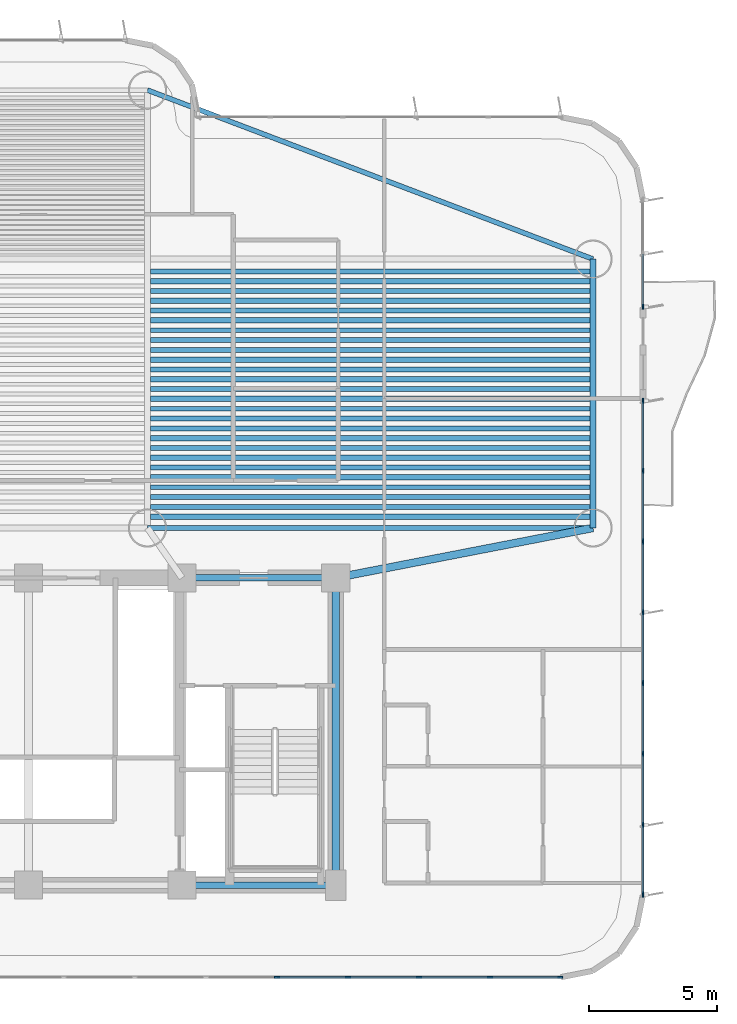
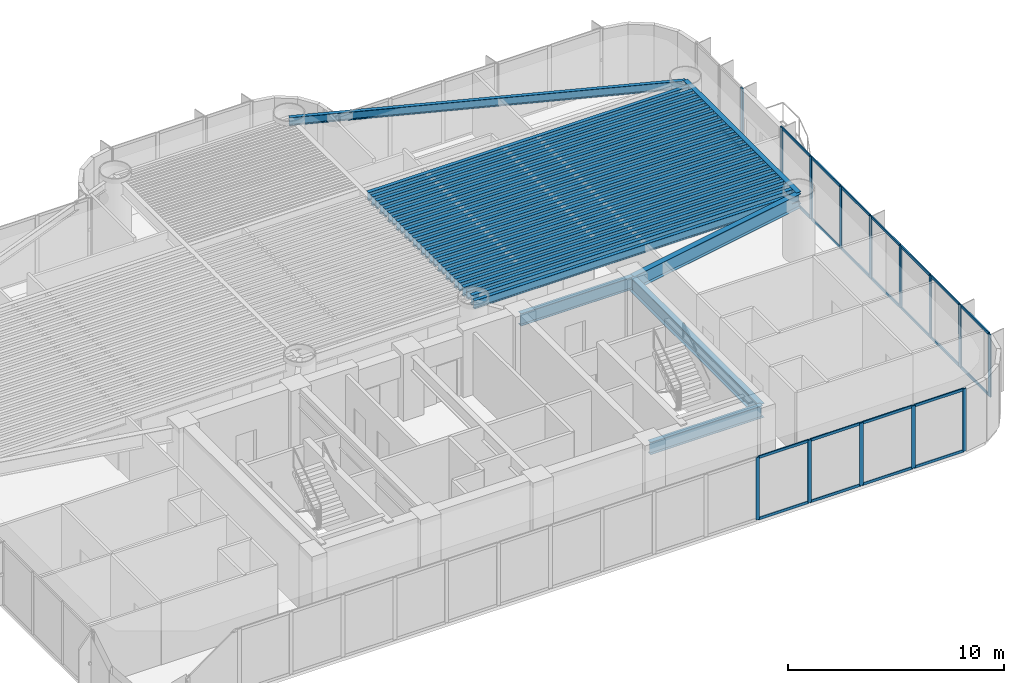
# One storey, part 5 of 17: 37 members, 33 beams, 3 elements without a shape of their own.
"""IFC4 building model written with IfcOpenShell, lengths in metres."""

from ifc_helpers import new_model, si_unit, direction, frame, origin, origin_2d, place, context, subcontext, project, spatial, rectangle, i_section, extrude, source, transform, mapped, material, layer, layer_set, material_profile, profile_set, type_object, element, aggregate, save


model = new_model("IFC4")

# Units and contexts
model_context = context("Model", 3, precision=1e-05, world=origin(), true_north=direction((0.0, 1.0)))
body_context = subcontext(model_context, "Body", "Model", "MODEL_VIEW")
ifc_project = project(units=[si_unit("LENGTHUNIT", "METRE"), si_unit("AREAUNIT", "SQUARE_METRE"), si_unit("VOLUMEUNIT", "CUBIC_METRE"), si_unit("PLANEANGLEUNIT", "RADIAN"), si_unit("MASSUNIT", "GRAM", prefix="KILO")], contexts=[model_context])

# Site, building, storey
site_placement = place(None, origin())
site = spatial("IfcSite", under=ifc_project, at=site_placement, CompositionType="ELEMENT")
building_placement = place(site_placement, origin())
building = spatial("IfcBuilding", under=site, at=building_placement, Name="Brelvock Crest Care Tower", CompositionType="ELEMENT")
storey_placement = place(building_placement, frame((0.0, 0.0, 49.679931640625)))
storey = spatial("IfcBuildingStorey", under=building, at=storey_placement, Name="L12", CompositionType="ELEMENT", Elevation=49.679931640625)

# Beams
ifc_material_1 = material(Name="Steel Grade 350", Category="steel")
ifc_material_profile_1 = material_profile(ifc_material_1, i_section(OverallWidth=0.25, OverallDepth=0.699951171875, WebThickness=0.011962890625, FlangeThickness=0.02001953125, at=origin_2d()), Name="700WB150")
ifc_profile_set_1 = profile_set([ifc_material_profile_1], Name="Steel Grade 350")
beam_type_1 = type_object("IfcBeamType", Name="BM-G4", PredefinedType="BEAM", material=ifc_profile_set_1)
shared_shape_1 = source(origin(), body_context, "Body", "SweptSolid", [
    extrude(i_section(OverallWidth=0.25, OverallDepth=0.699951171875, WebThickness=0.011962890625, FlangeThickness=0.02001953125, at=origin_2d()), origin(), (0.0, 0.0, 1.0), 6.0),
])
for number, where, z_axis, x_axis, name in (
    (1, (42.0, 6.0, 3.18017578125), (1.0, 0.0, 0.0), (0.0, 1.0, 0.0), "BM-CORES-L12-4"),
    (2, (42.0, 18.0, 3.18017578125), (1.0, 0.0, 0.0), (0.0, 1.0, 0.0), "BM-COREN-L12-4"),
):
    element("IfcBeam", number, at=place(storey_placement, frame(where, z_axis=z_axis, x_axis=x_axis)), inside=storey, type_object=beam_type_1, Name=name, PredefinedType="BEAM", context=body_context, shape_type="MappedRepresentation", body=[
        mapped(shared_shape_1, transform((0.0, 0.0, 0.0), x_axis=(1.0, 0.0, 0.0), y_axis=(0.0, 1.0, 0.0), z_axis=(0.0, 0.0, 1.0), scale=1.0)),
    ])
ifc_material_profile_2 = material_profile(ifc_material_1, i_section(OverallWidth=0.300048828125, OverallDepth=0.800048828125, WebThickness=0.013916015625, FlangeThickness=0.02197265625, at=origin_2d()), Name="800WB192")
ifc_profile_set_2 = profile_set([ifc_material_profile_2], Name="Steel Grade 350")
beam_type_2 = type_object("IfcBeamType", Name="BM-G5", PredefinedType="BEAM", material=ifc_profile_set_2)
shared_shape_2 = source(origin(), body_context, "Body", "SweptSolid", [
    extrude(i_section(OverallWidth=0.300048828125, OverallDepth=0.800048828125, WebThickness=0.013916015625, FlangeThickness=0.02197265625, at=origin_2d()), origin(), (0.0, 0.0, 1.0), 12.0),
])
beam_1_placement = place(storey_placement, frame((48.0, 6.0, 3.130126953125), z_axis=(0.0, 1.0, 0.0), x_axis=(-1.0, 0.0, 0.0)))
element("IfcBeam", 3, at=beam_1_placement, inside=storey, type_object=beam_type_2, Name="BM-COREX-L12-5", PredefinedType="BEAM", context=body_context, shape_type="MappedRepresentation", body=[
    mapped(shared_shape_2, transform((0.0, 0.0, 0.0), x_axis=(1.0, 0.0, 0.0), y_axis=(0.0, 1.0, 0.0), z_axis=(0.0, 0.0, 1.0), scale=1.0)),
])
shared_shape_3 = source(origin(), body_context, "Body", "SweptSolid", [
    extrude(i_section(OverallWidth=0.25, OverallDepth=0.699951171875, WebThickness=0.011962890625, FlangeThickness=0.02001953125, at=origin_2d()), origin(), (0.0, 0.0, 1.0), 10.5),
])
beam_2_placement = place(storey_placement, frame((58.050048828125, 19.949951171875, 3.18017578125), z_axis=(0.0, 1.0, 0.0), x_axis=(-1.0, 0.0, 0.0)))
element("IfcBeam", 4, at=beam_2_placement, inside=storey, type_object=beam_type_1, Name="BM-TWR-L12-02", PredefinedType="BEAM", context=body_context, shape_type="MappedRepresentation", body=[
    mapped(shared_shape_3, transform((0.0, 0.0, 0.0), x_axis=(1.0, 0.0, 0.0), y_axis=(0.0, 1.0, 0.0), z_axis=(0.0, 0.0, 1.0), scale=1.0)),
])
ifc_material_profile_3 = material_profile(ifc_material_1, i_section(OverallWidth=0.19091796875, OverallDepth=0.4599609375, WebThickness=0.010009765625, FlangeThickness=0.01611328125, FilletRadius=0.011474609375, at=origin_2d()), Name="460UB82.1")
ifc_profile_set_3 = profile_set([ifc_material_profile_3], Name="Steel Grade 350")
beam_type_3 = type_object("IfcBeamType", Name="BM-SP2", PredefinedType="SPANDREL", material=ifc_profile_set_3)
shared_shape_4 = source(origin(), body_context, "Body", "SweptSolid", [
    extrude(i_section(OverallWidth=0.19091796875, OverallDepth=0.4599609375, WebThickness=0.010009765625, FlangeThickness=0.01611328125, FilletRadius=0.011474609375, at=origin_2d()), origin(), (0.0, 0.0, 1.0), 17.400146484375),
])
beam_3_placement = place(storey_placement, frame((40.64990234375, 19.949951171875, 3.300048828125), z_axis=(1.0, 0.0, 0.0), x_axis=(0.0, 1.0, 0.0)))
element("IfcBeam", 5, at=beam_3_placement, inside=storey, type_object=beam_type_3, Name="BM-TWR-L12-04", PredefinedType="SPANDREL", context=body_context, shape_type="MappedRepresentation", body=[
    mapped(shared_shape_4, transform((0.0, 0.0, 0.0), x_axis=(1.0, 0.0, 0.0), y_axis=(0.0, 1.0, 0.0), z_axis=(0.0, 0.0, 1.0), scale=1.0)),
])
shared_shape_5 = source(origin(), body_context, "Body", "SweptSolid", [
    extrude(i_section(OverallWidth=0.19091796875, OverallDepth=0.4599609375, WebThickness=0.010009765625, FlangeThickness=0.01611328125, FilletRadius=0.011474609375, at=origin_2d()), origin(), (0.0, 0.0, 1.0), 18.60986328125),
])
beam_4_placement = place(storey_placement, frame((40.64990234375, 37.050048828125, 3.300048828125), z_axis=(0.934996776275, -0.3546562115, 0.0), x_axis=(0.3546562115, 0.934996776275, 0.0)))
element("IfcBeam", 6, at=beam_4_placement, inside=storey, type_object=beam_type_3, Name="BM-TWR-L12-07", PredefinedType="SPANDREL", context=body_context, shape_type="MappedRepresentation", body=[
    mapped(shared_shape_5, transform((0.0, 0.0, 0.0), x_axis=(1.0, 0.0, 0.0), y_axis=(0.0, 1.0, 0.0), z_axis=(0.0, 0.0, 1.0), scale=1.0)),
])
shared_shape_6 = source(origin(), body_context, "Body", "SweptSolid", [
    extrude(i_section(OverallWidth=0.300048828125, OverallDepth=0.800048828125, WebThickness=0.013916015625, FlangeThickness=0.02197265625, at=origin_2d()), origin(), (0.0, 0.0, 1.0), 10.237548828125),
])
beam_5_placement = place(storey_placement, frame((48.0, 18.0, 3.130126953125), z_axis=(0.981692632568, 0.190471979991, 0.0), x_axis=(-0.190471979991, 0.981692632568, 0.0)))
element("IfcBeam", 7, at=beam_5_placement, inside=storey, type_object=beam_type_2, Name="BM-THRO-E-L12", PredefinedType="BEAM", context=body_context, shape_type="MappedRepresentation", body=[
    mapped(shared_shape_6, transform((0.0, 0.0, 0.0), x_axis=(1.0, 0.0, 0.0), y_axis=(0.0, 1.0, 0.0), z_axis=(0.0, 0.0, 1.0), scale=1.0)),
])
ifc_material_profile_4 = material_profile(ifc_material_1, i_section(OverallWidth=0.208984375, OverallDepth=0.532958984375, WebThickness=0.01025390625, FlangeThickness=0.015625, FilletRadius=0.013916015625, at=origin_2d()), Name="530UB92.4")
ifc_profile_set_4 = profile_set([ifc_material_profile_4], Name="Steel Grade 350")
beam_type_4 = type_object("IfcBeamType", Name="BM-G2", PredefinedType="BEAM", material=ifc_profile_set_4)
shared_shape_7 = source(origin(), body_context, "Body", "SweptSolid", [
    extrude(i_section(OverallWidth=0.208984375, OverallDepth=0.532958984375, WebThickness=0.01025390625, FlangeThickness=0.015625, FilletRadius=0.013916015625, at=origin_2d()), origin(), (0.0, 0.0, 1.0), 17.170166015625),
])
for number, where, z_axis, x_axis, name in (
    (8, (40.764892578125, 20.39111328125, 3.263671875), (1.0, 0.0, 0.0), (0.0, 1.0, 0.0), "BM-JE-L12-1"),
    (9, (40.764892578125, 21.157470703125, 3.263671875), (1.0, 0.0, 0.0), (0.0, 1.0, 0.0), "BM-JE-L12-3"),
    (10, (40.764892578125, 21.924072265625, 3.263671875), (1.0, 0.0, 0.0), (0.0, 1.0, 0.0), "BM-JE-L12-5"),
    (11, (40.764892578125, 22.6904296875, 3.263671875), (1.0, 0.0, 0.0), (0.0, 1.0, 0.0), "BM-JE-L12-7"),
    (12, (40.764892578125, 23.45703125, 3.263671875), (1.0, 0.0, 0.0), (0.0, 1.0, 0.0), "BM-JE-L12-9"),
    (13, (40.764892578125, 24.223388671875, 3.263671875), (1.0, 0.0, 0.0), (0.0, 1.0, 0.0), "BM-JE-L12-11"),
    (14, (40.764892578125, 24.989990234375, 3.263671875), (1.0, 0.0, 0.0), (0.0, 1.0, 0.0), "BM-JE-L12-13"),
    (15, (40.764892578125, 25.756591796875, 3.263671875), (1.0, 0.0, 0.0), (0.0, 1.0, 0.0), "BM-JE-L12-15"),
    (16, (40.764892578125, 26.52294921875, 3.263671875), (1.0, 0.0, 0.0), (0.0, 1.0, 0.0), "BM-JE-L12-17"),
    (17, (40.764892578125, 27.28955078125, 3.263671875), (1.0, 0.0, 0.0), (0.0, 1.0, 0.0), "BM-JE-L12-19"),
    (18, (40.764892578125, 28.055908203125, 3.263671875), (1.0, 0.0, 0.0), (0.0, 1.0, 0.0), "BM-JE-L12-21"),
    (19, (40.764892578125, 28.822509765625, 3.263671875), (1.0, 0.0, 0.0), (0.0, 1.0, 0.0), "BM-JE-L12-23"),
    (20, (40.764892578125, 29.589111328125, 3.263671875), (1.0, 0.0, 0.0), (0.0, 1.0, 0.0), "BM-JE-L12-25"),
):
    element("IfcBeam", number, at=place(storey_placement, frame(where, z_axis=z_axis, x_axis=x_axis)), inside=storey, type_object=beam_type_4, Name=name, PredefinedType="BEAM", context=body_context, shape_type="MappedRepresentation", body=[
        mapped(shared_shape_7, transform((0.0, 0.0, 0.0), x_axis=(1.0, 0.0, 0.0), y_axis=(0.0, 1.0, 0.0), z_axis=(0.0, 0.0, 1.0), scale=1.0)),
    ])
ifc_material_profile_5 = material_profile(ifc_material_1, i_section(OverallWidth=0.19091796875, OverallDepth=0.4599609375, WebThickness=0.010009765625, FlangeThickness=0.01611328125, FilletRadius=0.011474609375, at=origin_2d()), Name="460UB82.1")
ifc_profile_set_5 = profile_set([ifc_material_profile_5], Name="Steel Grade 350")
beam_type_5 = type_object("IfcBeamType", Name="BM-G3", PredefinedType="BEAM", material=ifc_profile_set_5)
shared_shape_8 = source(origin(), body_context, "Body", "SweptSolid", [
    extrude(i_section(OverallWidth=0.19091796875, OverallDepth=0.4599609375, WebThickness=0.010009765625, FlangeThickness=0.01611328125, FilletRadius=0.011474609375, at=origin_2d()), origin(), (0.0, 0.0, 1.0), 17.170166015625),
])
for number, where, z_axis, x_axis, name in (
    (21, (40.764892578125, 20.774169921875, 3.300048828125), (1.0, 0.0, 0.0), (0.0, 1.0, 0.0), "BM-JE-L12-2"),
    (22, (40.764892578125, 21.540771484375, 3.300048828125), (1.0, 0.0, 0.0), (0.0, 1.0, 0.0), "BM-JE-L12-4"),
    (23, (40.764892578125, 22.30712890625, 3.300048828125), (1.0, 0.0, 0.0), (0.0, 1.0, 0.0), "BM-JE-L12-6"),
    (24, (40.764892578125, 23.07373046875, 3.300048828125), (1.0, 0.0, 0.0), (0.0, 1.0, 0.0), "BM-JE-L12-8"),
    (25, (40.764892578125, 23.840087890625, 3.300048828125), (1.0, 0.0, 0.0), (0.0, 1.0, 0.0), "BM-JE-L12-10"),
    (26, (40.764892578125, 24.606689453125, 3.300048828125), (1.0, 0.0, 0.0), (0.0, 1.0, 0.0), "BM-JE-L12-12"),
    (27, (40.764892578125, 25.373291015625, 3.300048828125), (1.0, 0.0, 0.0), (0.0, 1.0, 0.0), "BM-JE-L12-14"),
    (28, (40.764892578125, 26.1396484375, 3.300048828125), (1.0, 0.0, 0.0), (0.0, 1.0, 0.0), "BM-JE-L12-16"),
    (29, (40.764892578125, 26.90625, 3.300048828125), (1.0, 0.0, 0.0), (0.0, 1.0, 0.0), "BM-JE-L12-18"),
    (30, (40.764892578125, 27.6728515625, 3.300048828125), (1.0, 0.0, 0.0), (0.0, 1.0, 0.0), "BM-JE-L12-20"),
    (31, (40.764892578125, 28.439208984375, 3.300048828125), (1.0, 0.0, 0.0), (0.0, 1.0, 0.0), "BM-JE-L12-22"),
    (32, (40.764892578125, 29.205810546875, 3.300048828125), (1.0, 0.0, 0.0), (0.0, 1.0, 0.0), "BM-JE-L12-24"),
    (33, (40.764892578125, 29.97216796875, 3.300048828125), (1.0, 0.0, 0.0), (0.0, 1.0, 0.0), "BM-JE-L12-26"),
):
    element("IfcBeam", number, at=place(storey_placement, frame(where, z_axis=z_axis, x_axis=x_axis)), inside=storey, type_object=beam_type_5, Name=name, PredefinedType="BEAM", context=body_context, shape_type="MappedRepresentation", body=[
        mapped(shared_shape_8, transform((0.0, 0.0, 0.0), x_axis=(1.0, 0.0, 0.0), y_axis=(0.0, 1.0, 0.0), z_axis=(0.0, 0.0, 1.0), scale=1.0)),
    ])

# Curtain wall, member
ifc_material_2 = material(Name="Dark Glass Double Glazed Low-E", Category="glass")
ifc_layer = layer(ifc_material_2, 0.195068359375, Name="CWS-2")
ifc_layer_set = layer_set([ifc_layer], Name="Dark Glass Double Glazed Low-E")
curtain_wall_type = type_object("IfcCurtainWallType", Name="CWS-2", PredefinedType="NOTDEFINED", material=ifc_layer_set)
curtain_wall_1_placement = place(storey_placement, origin())
curtain_wall_1 = element("IfcCurtainWall", 34, at=curtain_wall_1_placement, inside=storey, type_object=curtain_wall_type, Name="L12 Curtain Wall E03A", PredefinedType="NOTDEFINED")
ifc_material_3 = material(Name="Aluminium 6063-T6", Category="aluminium")
ifc_material_profile_6 = material_profile(ifc_material_3, rectangle(XDim=0.06494140625, YDim=0.199951171875, at=origin_2d()), Name="ALU65x200")
ifc_profile_set_6 = profile_set([ifc_material_profile_6], Name="Aluminium 6063-T6")
member_type_1 = type_object("IfcMemberType", Name="CWM-1", PredefinedType="MULLION", material=ifc_profile_set_6)
shared_shape_9 = source(origin(), body_context, "Body", "SweptSolid", [
    extrude(rectangle(XDim=0.06494140625, YDim=0.199951171875, at=origin_2d()), origin(), (0.0, 0.0, 1.0), 3.530029296875),
])
member_1_placement = place(storey_placement, frame((60.0, 28.58251953125, 0.0), z_axis=(0.0, 0.0, 1.0), x_axis=(1.0, 0.0, 0.0)))
member_1 = element("IfcMember", 35, at=member_1_placement, type_object=member_type_1, Name="CW-2 mullion 3", PredefinedType="MULLION", context=body_context, shape_type="MappedRepresentation", body=[
    mapped(shared_shape_9, transform((0.0, 0.0, 0.0), x_axis=(1.0, 0.0, 0.0), y_axis=(0.0, 1.0, 0.0), z_axis=(0.0, 0.0, 1.0), scale=1.0)),
])

# Curtain wall, members
curtain_wall_2_placement = place(storey_placement, origin())
curtain_wall_2 = element("IfcCurtainWall", 36, at=curtain_wall_2_placement, inside=storey, type_object=curtain_wall_type, Name="L12 Curtain Wall E03B", PredefinedType="NOTDEFINED")
member_2_placement = place(storey_placement, frame((60.0, 24.91748046875, 0.0), z_axis=(0.0, 0.0, 1.0), x_axis=(1.0, 0.0, 0.0)))
member_2 = element("IfcMember", 37, at=member_2_placement, type_object=member_type_1, Name="CW-2 mullion 1", PredefinedType="MULLION", context=body_context, shape_type="MappedRepresentation", body=[
    mapped(shared_shape_9, transform((0.0, 0.0, 0.0), x_axis=(1.0, 0.0, 0.0), y_axis=(0.0, 1.0, 0.0), z_axis=(0.0, 0.0, 1.0), scale=1.0)),
])
member_3_placement = place(storey_placement, frame((60.0, 22.185791015625, 0.0), z_axis=(0.0, 0.0, 1.0), x_axis=(1.0, 0.0, 0.0)))
member_3 = element("IfcMember", 38, at=member_3_placement, type_object=member_type_1, Name="CW-2 mullion 2", PredefinedType="MULLION", context=body_context, shape_type="MappedRepresentation", body=[
    mapped(shared_shape_9, transform((0.0, 0.0, 0.0), x_axis=(1.0, 0.0, 0.0), y_axis=(0.0, 1.0, 0.0), z_axis=(0.0, 0.0, 1.0), scale=1.0)),
])
member_4_placement = place(storey_placement, frame((60.0, 19.42138671875, 0.0), z_axis=(0.0, 0.0, 1.0), x_axis=(1.0, 0.0, 0.0)))
member_4 = element("IfcMember", 39, at=member_4_placement, type_object=member_type_1, Name="CW-2 mullion 3", PredefinedType="MULLION", context=body_context, shape_type="MappedRepresentation", body=[
    mapped(shared_shape_9, transform((0.0, 0.0, 0.0), x_axis=(1.0, 0.0, 0.0), y_axis=(0.0, 1.0, 0.0), z_axis=(0.0, 0.0, 1.0), scale=1.0)),
])
member_5_placement = place(storey_placement, frame((60.0, 16.6572265625, 0.0), z_axis=(0.0, 0.0, 1.0), x_axis=(1.0, 0.0, 0.0)))
member_5 = element("IfcMember", 40, at=member_5_placement, type_object=member_type_1, Name="CW-2 mullion 4", PredefinedType="MULLION", context=body_context, shape_type="MappedRepresentation", body=[
    mapped(shared_shape_9, transform((0.0, 0.0, 0.0), x_axis=(1.0, 0.0, 0.0), y_axis=(0.0, 1.0, 0.0), z_axis=(0.0, 0.0, 1.0), scale=1.0)),
])
member_6_placement = place(storey_placement, frame((60.0, 13.892822265625, 0.0), z_axis=(0.0, 0.0, 1.0), x_axis=(1.0, 0.0, 0.0)))
member_6 = element("IfcMember", 41, at=member_6_placement, type_object=member_type_1, Name="CW-2 mullion 5", PredefinedType="MULLION", context=body_context, shape_type="MappedRepresentation", body=[
    mapped(shared_shape_9, transform((0.0, 0.0, 0.0), x_axis=(1.0, 0.0, 0.0), y_axis=(0.0, 1.0, 0.0), z_axis=(0.0, 0.0, 1.0), scale=1.0)),
])
member_7_placement = place(storey_placement, frame((60.0, 11.128662109375, 0.0), z_axis=(0.0, 0.0, 1.0), x_axis=(1.0, 0.0, 0.0)))
member_7 = element("IfcMember", 42, at=member_7_placement, type_object=member_type_1, Name="CW-2 mullion 6", PredefinedType="MULLION", context=body_context, shape_type="MappedRepresentation", body=[
    mapped(shared_shape_9, transform((0.0, 0.0, 0.0), x_axis=(1.0, 0.0, 0.0), y_axis=(0.0, 1.0, 0.0), z_axis=(0.0, 0.0, 1.0), scale=1.0)),
])
member_8_placement = place(storey_placement, frame((60.0, 8.3642578125, 0.0), z_axis=(0.0, 0.0, 1.0), x_axis=(1.0, 0.0, 0.0)))
member_8 = element("IfcMember", 43, at=member_8_placement, type_object=member_type_1, Name="CW-2 mullion 7", PredefinedType="MULLION", context=body_context, shape_type="MappedRepresentation", body=[
    mapped(shared_shape_9, transform((0.0, 0.0, 0.0), x_axis=(1.0, 0.0, 0.0), y_axis=(0.0, 1.0, 0.0), z_axis=(0.0, 0.0, 1.0), scale=1.0)),
])
member_9_placement = place(storey_placement, frame((60.0, 5.632568359375, 0.0), z_axis=(0.0, 0.0, 1.0), x_axis=(1.0, 0.0, 0.0)))
member_9 = element("IfcMember", 44, at=member_9_placement, type_object=member_type_1, Name="CW-2 mullion 8", PredefinedType="MULLION", context=body_context, shape_type="MappedRepresentation", body=[
    mapped(shared_shape_9, transform((0.0, 0.0, 0.0), x_axis=(1.0, 0.0, 0.0), y_axis=(0.0, 1.0, 0.0), z_axis=(0.0, 0.0, 1.0), scale=1.0)),
])

curtain_wall_3_placement = place(storey_placement, origin())
curtain_wall_3 = element("IfcCurtainWall", 45, at=curtain_wall_3_placement, inside=storey, type_object=curtain_wall_type, Name="L12 Curtain Wall E08", PredefinedType="NOTDEFINED")
member_10_placement = place(storey_placement, frame((56.767578125, 2.39990234375, 0.0), z_axis=(0.0, 0.0, 1.0), x_axis=(0.0, -1.0, 0.0)))
member_10 = element("IfcMember", 46, at=member_10_placement, type_object=member_type_1, Name="CW-2 mullion 1", PredefinedType="MULLION", context=body_context, shape_type="MappedRepresentation", body=[
    mapped(shared_shape_9, transform((0.0, 0.0, 0.0), x_axis=(1.0, 0.0, 0.0), y_axis=(0.0, 1.0, 0.0), z_axis=(0.0, 0.0, 1.0), scale=1.0)),
])
member_11_placement = place(storey_placement, frame((54.026611328125, 2.39990234375, 0.0), z_axis=(0.0, 0.0, 1.0), x_axis=(0.0, -1.0, 0.0)))
member_11 = element("IfcMember", 47, at=member_11_placement, type_object=member_type_1, Name="CW-2 mullion 2", PredefinedType="MULLION", context=body_context, shape_type="MappedRepresentation", body=[
    mapped(shared_shape_9, transform((0.0, 0.0, 0.0), x_axis=(1.0, 0.0, 0.0), y_axis=(0.0, 1.0, 0.0), z_axis=(0.0, 0.0, 1.0), scale=1.0)),
])
member_12_placement = place(storey_placement, frame((51.25341796875, 2.39990234375, 0.0), z_axis=(0.0, 0.0, 1.0), x_axis=(0.0, -1.0, 0.0)))
member_12 = element("IfcMember", 48, at=member_12_placement, type_object=member_type_1, Name="CW-2 mullion 3", PredefinedType="MULLION", context=body_context, shape_type="MappedRepresentation", body=[
    mapped(shared_shape_9, transform((0.0, 0.0, 0.0), x_axis=(1.0, 0.0, 0.0), y_axis=(0.0, 1.0, 0.0), z_axis=(0.0, 0.0, 1.0), scale=1.0)),
])
member_13_placement = place(storey_placement, frame((48.47998046875, 2.39990234375, 0.0), z_axis=(0.0, 0.0, 1.0), x_axis=(0.0, -1.0, 0.0)))
member_13 = element("IfcMember", 49, at=member_13_placement, type_object=member_type_1, Name="CW-2 mullion 4", PredefinedType="MULLION", context=body_context, shape_type="MappedRepresentation", body=[
    mapped(shared_shape_9, transform((0.0, 0.0, 0.0), x_axis=(1.0, 0.0, 0.0), y_axis=(0.0, 1.0, 0.0), z_axis=(0.0, 0.0, 1.0), scale=1.0)),
])
member_14_placement = place(storey_placement, frame((45.706787109375, 2.39990234375, 0.0), z_axis=(0.0, 0.0, 1.0), x_axis=(0.0, -1.0, 0.0)))
member_14 = element("IfcMember", 50, at=member_14_placement, type_object=member_type_1, Name="CW-2 mullion 5", PredefinedType="MULLION", context=body_context, shape_type="MappedRepresentation", body=[
    mapped(shared_shape_9, transform((0.0, 0.0, 0.0), x_axis=(1.0, 0.0, 0.0), y_axis=(0.0, 1.0, 0.0), z_axis=(0.0, 0.0, 1.0), scale=1.0)),
])
ifc_material_profile_7 = material_profile(ifc_material_3, rectangle(XDim=0.06494140625, YDim=0.14990234375, at=origin_2d()), Name="ALU65x150")
ifc_profile_set_7 = profile_set([ifc_material_profile_7], Name="Aluminium 6063-T6")
member_type_2 = type_object("IfcMemberType", Name="CWT-1", PredefinedType="USERDEFINED", material=ifc_profile_set_7)
shared_shape_10 = source(origin(), body_context, "Body", "SweptSolid", [
    extrude(rectangle(XDim=0.06494140625, YDim=0.14990234375, at=origin_2d()), origin(), (0.0, 0.0, 1.0), 2.676025390625),
])
member_15_placement = place(storey_placement, frame((56.735107421875, 2.39990234375, 0.032470703125), z_axis=(-1.0, 0.0, 0.0), x_axis=(0.0, -1.0, 0.0)))
member_15 = element("IfcMember", 51, at=member_15_placement, type_object=member_type_2, Name="CW-2 transom 1.1", ObjectType="TRANSOM", PredefinedType="USERDEFINED", context=body_context, shape_type="MappedRepresentation", body=[
    mapped(shared_shape_10, transform((0.0, 0.0, 0.0), x_axis=(1.0, 0.0, 0.0), y_axis=(0.0, 1.0, 0.0), z_axis=(0.0, 0.0, 1.0), scale=1.0)),
])
member_16_placement = place(storey_placement, frame((56.735107421875, 2.39990234375, 3.49755859375), z_axis=(-1.0, 0.0, 0.0), x_axis=(0.0, -1.0, 0.0)))
member_16 = element("IfcMember", 52, at=member_16_placement, type_object=member_type_2, Name="CW-2 transom 1.2", ObjectType="TRANSOM", PredefinedType="USERDEFINED", context=body_context, shape_type="MappedRepresentation", body=[
    mapped(shared_shape_10, transform((0.0, 0.0, 0.0), x_axis=(1.0, 0.0, 0.0), y_axis=(0.0, 1.0, 0.0), z_axis=(0.0, 0.0, 1.0), scale=1.0)),
])
shared_shape_11 = source(origin(), body_context, "Body", "SweptSolid", [
    extrude(rectangle(XDim=0.06494140625, YDim=0.14990234375, at=origin_2d()), origin(), (0.0, 0.0, 1.0), 2.708251953125),
])
member_17_placement = place(storey_placement, frame((53.994140625, 2.39990234375, 0.032470703125), z_axis=(-1.0, 0.0, 0.0), x_axis=(0.0, -1.0, 0.0)))
member_17 = element("IfcMember", 53, at=member_17_placement, type_object=member_type_2, Name="CW-2 transom 2.1", ObjectType="TRANSOM", PredefinedType="USERDEFINED", context=body_context, shape_type="MappedRepresentation", body=[
    mapped(shared_shape_11, transform((0.0, 0.0, 0.0), x_axis=(1.0, 0.0, 0.0), y_axis=(0.0, 1.0, 0.0), z_axis=(0.0, 0.0, 1.0), scale=1.0)),
])
member_18_placement = place(storey_placement, frame((53.994140625, 2.39990234375, 3.49755859375), z_axis=(-1.0, 0.0, 0.0), x_axis=(0.0, -1.0, 0.0)))
member_18 = element("IfcMember", 54, at=member_18_placement, type_object=member_type_2, Name="CW-2 transom 2.2", ObjectType="TRANSOM", PredefinedType="USERDEFINED", context=body_context, shape_type="MappedRepresentation", body=[
    mapped(shared_shape_11, transform((0.0, 0.0, 0.0), x_axis=(1.0, 0.0, 0.0), y_axis=(0.0, 1.0, 0.0), z_axis=(0.0, 0.0, 1.0), scale=1.0)),
])
member_19_placement = place(storey_placement, frame((48.447509765625, 2.39990234375, 0.032470703125), z_axis=(-1.0, 0.0, 0.0), x_axis=(0.0, -1.0, 0.0)))
member_19 = element("IfcMember", 55, at=member_19_placement, type_object=member_type_2, Name="CW-2 transom 4.1", ObjectType="TRANSOM", PredefinedType="USERDEFINED", context=body_context, shape_type="MappedRepresentation", body=[
    mapped(shared_shape_11, transform((0.0, 0.0, 0.0), x_axis=(1.0, 0.0, 0.0), y_axis=(0.0, 1.0, 0.0), z_axis=(0.0, 0.0, 1.0), scale=1.0)),
])
member_20_placement = place(storey_placement, frame((48.447509765625, 2.39990234375, 3.49755859375), z_axis=(-1.0, 0.0, 0.0), x_axis=(0.0, -1.0, 0.0)))
member_20 = element("IfcMember", 56, at=member_20_placement, type_object=member_type_2, Name="CW-2 transom 4.2", ObjectType="TRANSOM", PredefinedType="USERDEFINED", context=body_context, shape_type="MappedRepresentation", body=[
    mapped(shared_shape_11, transform((0.0, 0.0, 0.0), x_axis=(1.0, 0.0, 0.0), y_axis=(0.0, 1.0, 0.0), z_axis=(0.0, 0.0, 1.0), scale=1.0)),
])
shared_shape_12 = source(origin(), body_context, "Body", "SweptSolid", [
    extrude(rectangle(XDim=0.06494140625, YDim=0.14990234375, at=origin_2d()), origin(), (0.0, 0.0, 1.0), 2.70849609375),
])
member_21_placement = place(storey_placement, frame((51.220947265625, 2.39990234375, 0.032470703125), z_axis=(-1.0, 0.0, 0.0), x_axis=(0.0, -1.0, 0.0)))
member_21 = element("IfcMember", 57, at=member_21_placement, type_object=member_type_2, Name="CW-2 transom 3.1", ObjectType="TRANSOM", PredefinedType="USERDEFINED", context=body_context, shape_type="MappedRepresentation", body=[
    mapped(shared_shape_12, transform((0.0, 0.0, 0.0), x_axis=(1.0, 0.0, 0.0), y_axis=(0.0, 1.0, 0.0), z_axis=(0.0, 0.0, 1.0), scale=1.0)),
])
member_22_placement = place(storey_placement, frame((51.220947265625, 2.39990234375, 3.49755859375), z_axis=(-1.0, 0.0, 0.0), x_axis=(0.0, -1.0, 0.0)))
member_22 = element("IfcMember", 58, at=member_22_placement, type_object=member_type_2, Name="CW-2 transom 3.2", ObjectType="TRANSOM", PredefinedType="USERDEFINED", context=body_context, shape_type="MappedRepresentation", body=[
    mapped(shared_shape_12, transform((0.0, 0.0, 0.0), x_axis=(1.0, 0.0, 0.0), y_axis=(0.0, 1.0, 0.0), z_axis=(0.0, 0.0, 1.0), scale=1.0)),
])
aggregate(curtain_wall_3, [member_10, member_11, member_12, member_13, member_14, member_15, member_16, member_17, member_18, member_21, member_22, member_19, member_20])

# Member
shared_shape_13 = source(origin(), body_context, "Body", "SweptSolid", [
    extrude(rectangle(XDim=0.06494140625, YDim=0.14990234375, at=origin_2d()), origin(), (0.0, 0.0, 1.0), 2.027587890625),
])
member_23_placement = place(storey_placement, frame((60.0, 30.642578125, 0.032470703125), z_axis=(0.0, -1.0, 0.0), x_axis=(1.0, 0.0, 0.0)))
member_23 = element("IfcMember", 59, at=member_23_placement, type_object=member_type_2, Name="CW-2 transom 2.1", ObjectType="TRANSOM", PredefinedType="USERDEFINED", context=body_context, shape_type="MappedRepresentation", body=[
    mapped(shared_shape_13, transform((0.0, 0.0, 0.0), x_axis=(1.0, 0.0, 0.0), y_axis=(0.0, 1.0, 0.0), z_axis=(0.0, 0.0, 1.0), scale=1.0)),
])

aggregate(curtain_wall_1, [member_1, member_23])

shared_shape_14 = source(origin(), body_context, "Body", "SweptSolid", [
    extrude(rectangle(XDim=0.06494140625, YDim=0.14990234375, at=origin_2d()), origin(), (0.0, 0.0, 1.0), 2.666748046875),
])
member_24_placement = place(storey_placement, frame((60.0, 24.885009765625, 0.032470703125), z_axis=(0.0, -1.0, 0.0), x_axis=(1.0, 0.0, 0.0)))
member_24 = element("IfcMember", 60, at=member_24_placement, type_object=member_type_2, Name="CW-2 transom 1.1", ObjectType="TRANSOM", PredefinedType="USERDEFINED", context=body_context, shape_type="MappedRepresentation", body=[
    mapped(shared_shape_14, transform((0.0, 0.0, 0.0), x_axis=(1.0, 0.0, 0.0), y_axis=(0.0, 1.0, 0.0), z_axis=(0.0, 0.0, 1.0), scale=1.0)),
])

member_25_placement = place(storey_placement, frame((60.0, 24.885009765625, 3.49755859375), z_axis=(0.0, -1.0, 0.0), x_axis=(1.0, 0.0, 0.0)))
member_25 = element("IfcMember", 61, at=member_25_placement, type_object=member_type_2, Name="CW-2 transom 1.2", ObjectType="TRANSOM", PredefinedType="USERDEFINED", context=body_context, shape_type="MappedRepresentation", body=[
    mapped(shared_shape_14, transform((0.0, 0.0, 0.0), x_axis=(1.0, 0.0, 0.0), y_axis=(0.0, 1.0, 0.0), z_axis=(0.0, 0.0, 1.0), scale=1.0)),
])

member_26_placement = place(storey_placement, frame((60.0, 8.331787109375, 0.032470703125), z_axis=(0.0, -1.0, 0.0), x_axis=(1.0, 0.0, 0.0)))
member_26 = element("IfcMember", 62, at=member_26_placement, type_object=member_type_2, Name="CW-2 transom 7.1", ObjectType="TRANSOM", PredefinedType="USERDEFINED", context=body_context, shape_type="MappedRepresentation", body=[
    mapped(shared_shape_14, transform((0.0, 0.0, 0.0), x_axis=(1.0, 0.0, 0.0), y_axis=(0.0, 1.0, 0.0), z_axis=(0.0, 0.0, 1.0), scale=1.0)),
])

member_27_placement = place(storey_placement, frame((60.0, 8.331787109375, 3.49755859375), z_axis=(0.0, -1.0, 0.0), x_axis=(1.0, 0.0, 0.0)))
member_27 = element("IfcMember", 63, at=member_27_placement, type_object=member_type_2, Name="CW-2 transom 7.2", ObjectType="TRANSOM", PredefinedType="USERDEFINED", context=body_context, shape_type="MappedRepresentation", body=[
    mapped(shared_shape_14, transform((0.0, 0.0, 0.0), x_axis=(1.0, 0.0, 0.0), y_axis=(0.0, 1.0, 0.0), z_axis=(0.0, 0.0, 1.0), scale=1.0)),
])

shared_shape_15 = source(origin(), body_context, "Body", "SweptSolid", [
    extrude(rectangle(XDim=0.06494140625, YDim=0.14990234375, at=origin_2d()), origin(), (0.0, 0.0, 1.0), 2.699462890625),
])
member_28_placement = place(storey_placement, frame((60.0, 22.1533203125, 0.032470703125), z_axis=(0.0, -1.0, 0.0), x_axis=(1.0, 0.0, 0.0)))
member_28 = element("IfcMember", 64, at=member_28_placement, type_object=member_type_2, Name="CW-2 transom 2.1", ObjectType="TRANSOM", PredefinedType="USERDEFINED", context=body_context, shape_type="MappedRepresentation", body=[
    mapped(shared_shape_15, transform((0.0, 0.0, 0.0), x_axis=(1.0, 0.0, 0.0), y_axis=(0.0, 1.0, 0.0), z_axis=(0.0, 0.0, 1.0), scale=1.0)),
])

member_29_placement = place(storey_placement, frame((60.0, 22.1533203125, 3.49755859375), z_axis=(0.0, -1.0, 0.0), x_axis=(1.0, 0.0, 0.0)))
member_29 = element("IfcMember", 65, at=member_29_placement, type_object=member_type_2, Name="CW-2 transom 2.2", ObjectType="TRANSOM", PredefinedType="USERDEFINED", context=body_context, shape_type="MappedRepresentation", body=[
    mapped(shared_shape_15, transform((0.0, 0.0, 0.0), x_axis=(1.0, 0.0, 0.0), y_axis=(0.0, 1.0, 0.0), z_axis=(0.0, 0.0, 1.0), scale=1.0)),
])

member_30_placement = place(storey_placement, frame((60.0, 16.624755859375, 0.032470703125), z_axis=(0.0, -1.0, 0.0), x_axis=(1.0, 0.0, 0.0)))
member_30 = element("IfcMember", 66, at=member_30_placement, type_object=member_type_2, Name="CW-2 transom 4.1", ObjectType="TRANSOM", PredefinedType="USERDEFINED", context=body_context, shape_type="MappedRepresentation", body=[
    mapped(shared_shape_15, transform((0.0, 0.0, 0.0), x_axis=(1.0, 0.0, 0.0), y_axis=(0.0, 1.0, 0.0), z_axis=(0.0, 0.0, 1.0), scale=1.0)),
])

member_31_placement = place(storey_placement, frame((60.0, 16.624755859375, 3.49755859375), z_axis=(0.0, -1.0, 0.0), x_axis=(1.0, 0.0, 0.0)))
member_31 = element("IfcMember", 67, at=member_31_placement, type_object=member_type_2, Name="CW-2 transom 4.2", ObjectType="TRANSOM", PredefinedType="USERDEFINED", context=body_context, shape_type="MappedRepresentation", body=[
    mapped(shared_shape_15, transform((0.0, 0.0, 0.0), x_axis=(1.0, 0.0, 0.0), y_axis=(0.0, 1.0, 0.0), z_axis=(0.0, 0.0, 1.0), scale=1.0)),
])

member_32_placement = place(storey_placement, frame((60.0, 11.09619140625, 0.032470703125), z_axis=(0.0, -1.0, 0.0), x_axis=(1.0, 0.0, 0.0)))
member_32 = element("IfcMember", 68, at=member_32_placement, type_object=member_type_2, Name="CW-2 transom 6.1", ObjectType="TRANSOM", PredefinedType="USERDEFINED", context=body_context, shape_type="MappedRepresentation", body=[
    mapped(shared_shape_15, transform((0.0, 0.0, 0.0), x_axis=(1.0, 0.0, 0.0), y_axis=(0.0, 1.0, 0.0), z_axis=(0.0, 0.0, 1.0), scale=1.0)),
])

member_33_placement = place(storey_placement, frame((60.0, 11.09619140625, 3.49755859375), z_axis=(0.0, -1.0, 0.0), x_axis=(1.0, 0.0, 0.0)))
member_33 = element("IfcMember", 69, at=member_33_placement, type_object=member_type_2, Name="CW-2 transom 6.2", ObjectType="TRANSOM", PredefinedType="USERDEFINED", context=body_context, shape_type="MappedRepresentation", body=[
    mapped(shared_shape_15, transform((0.0, 0.0, 0.0), x_axis=(1.0, 0.0, 0.0), y_axis=(0.0, 1.0, 0.0), z_axis=(0.0, 0.0, 1.0), scale=1.0)),
])

shared_shape_16 = source(origin(), body_context, "Body", "SweptSolid", [
    extrude(rectangle(XDim=0.06494140625, YDim=0.14990234375, at=origin_2d()), origin(), (0.0, 0.0, 1.0), 2.69921875),
])
member_34_placement = place(storey_placement, frame((60.0, 19.388916015625, 0.032470703125), z_axis=(0.0, -1.0, 0.0), x_axis=(1.0, 0.0, 0.0)))
member_34 = element("IfcMember", 70, at=member_34_placement, type_object=member_type_2, Name="CW-2 transom 3.1", ObjectType="TRANSOM", PredefinedType="USERDEFINED", context=body_context, shape_type="MappedRepresentation", body=[
    mapped(shared_shape_16, transform((0.0, 0.0, 0.0), x_axis=(1.0, 0.0, 0.0), y_axis=(0.0, 1.0, 0.0), z_axis=(0.0, 0.0, 1.0), scale=1.0)),
])

member_35_placement = place(storey_placement, frame((60.0, 19.388916015625, 3.49755859375), z_axis=(0.0, -1.0, 0.0), x_axis=(1.0, 0.0, 0.0)))
member_35 = element("IfcMember", 71, at=member_35_placement, type_object=member_type_2, Name="CW-2 transom 3.2", ObjectType="TRANSOM", PredefinedType="USERDEFINED", context=body_context, shape_type="MappedRepresentation", body=[
    mapped(shared_shape_16, transform((0.0, 0.0, 0.0), x_axis=(1.0, 0.0, 0.0), y_axis=(0.0, 1.0, 0.0), z_axis=(0.0, 0.0, 1.0), scale=1.0)),
])

member_36_placement = place(storey_placement, frame((60.0, 13.8603515625, 0.032470703125), z_axis=(0.0, -1.0, 0.0), x_axis=(1.0, 0.0, 0.0)))
member_36 = element("IfcMember", 72, at=member_36_placement, type_object=member_type_2, Name="CW-2 transom 5.1", ObjectType="TRANSOM", PredefinedType="USERDEFINED", context=body_context, shape_type="MappedRepresentation", body=[
    mapped(shared_shape_16, transform((0.0, 0.0, 0.0), x_axis=(1.0, 0.0, 0.0), y_axis=(0.0, 1.0, 0.0), z_axis=(0.0, 0.0, 1.0), scale=1.0)),
])

member_37_placement = place(storey_placement, frame((60.0, 13.8603515625, 3.49755859375), z_axis=(0.0, -1.0, 0.0), x_axis=(1.0, 0.0, 0.0)))
member_37 = element("IfcMember", 73, at=member_37_placement, type_object=member_type_2, Name="CW-2 transom 5.2", ObjectType="TRANSOM", PredefinedType="USERDEFINED", context=body_context, shape_type="MappedRepresentation", body=[
    mapped(shared_shape_16, transform((0.0, 0.0, 0.0), x_axis=(1.0, 0.0, 0.0), y_axis=(0.0, 1.0, 0.0), z_axis=(0.0, 0.0, 1.0), scale=1.0)),
])

aggregate(curtain_wall_2, [member_2, member_3, member_4, member_5, member_6, member_7, member_8, member_9, member_24, member_25, member_28, member_29, member_34, member_35, member_30, member_31, member_36, member_37, member_32, member_33, member_26, member_27])

save(model, "model.ifc")
